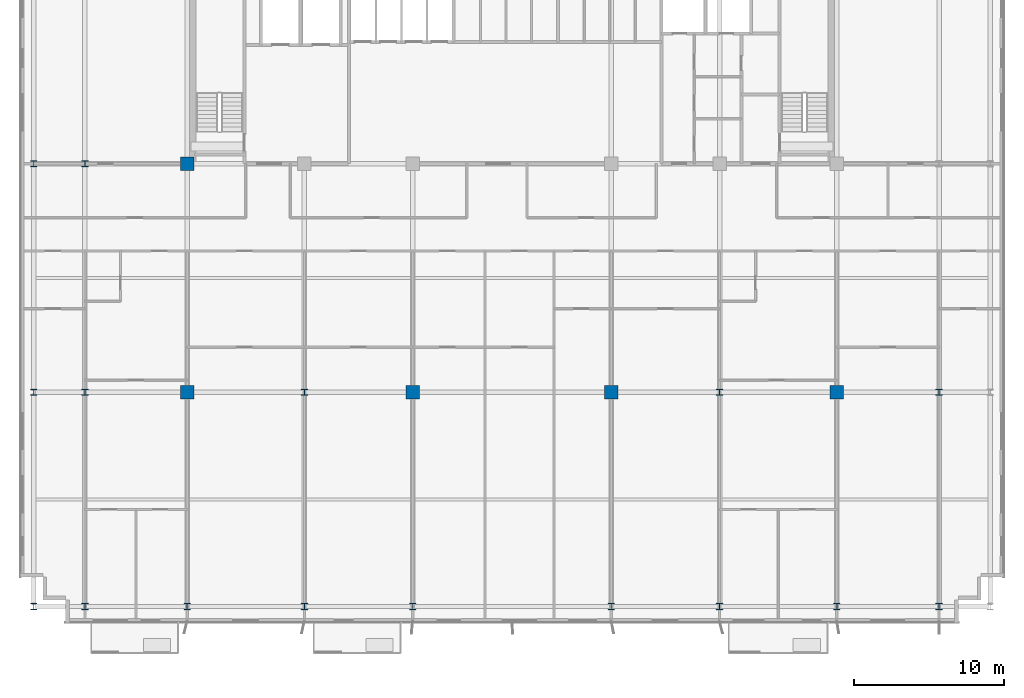
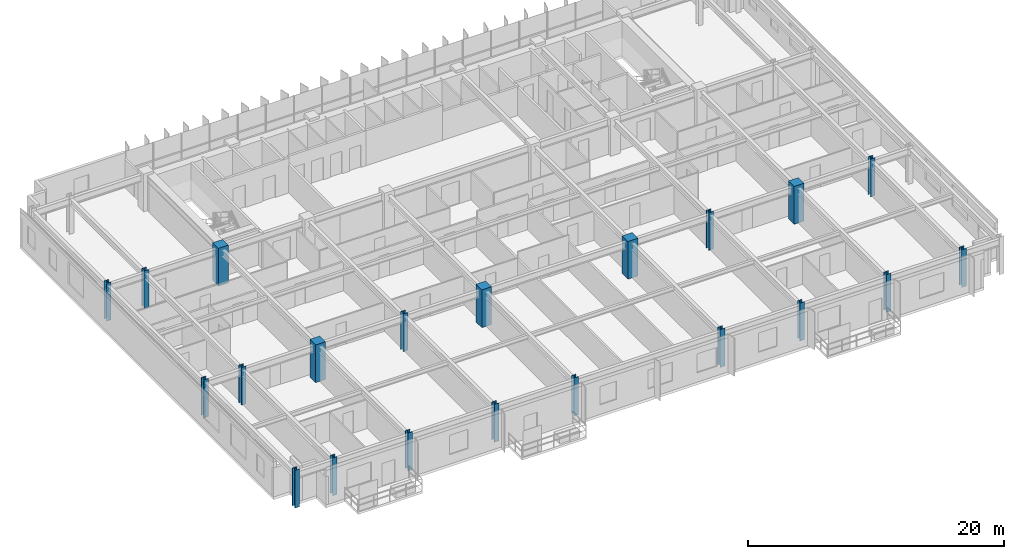
# One storey, part 1 of 22: 21 columns.
"""IFC4 building model written with IfcOpenShell, lengths in metres."""

from ifc_helpers import new_model, si_unit, direction, frame, origin, origin_2d, place, context, subcontext, project, spatial, rectangle, i_section, extrude, source, transform, mapped, material, material_profile, profile_set, type_object, element, save


model = new_model("IFC4")

# Units and contexts
model_context = context("Model", 3, precision=1e-05, world=origin(), true_north=direction((0.0, 1.0)))
body_context = subcontext(model_context, "Body", "Model", "MODEL_VIEW")
ifc_project = project(units=[si_unit("LENGTHUNIT", "METRE"), si_unit("AREAUNIT", "SQUARE_METRE"), si_unit("VOLUMEUNIT", "CUBIC_METRE"), si_unit("PLANEANGLEUNIT", "RADIAN"), si_unit("MASSUNIT", "GRAM", prefix="KILO")], contexts=[model_context])

# Site, building, storey
site_placement = place(None, origin())
site = spatial("IfcSite", under=ifc_project, at=site_placement, CompositionType="ELEMENT")
building_placement = place(site_placement, origin())
building = spatial("IfcBuilding", under=site, at=building_placement, Name="Trelvane Seafront Commons", CompositionType="ELEMENT")
storey_placement = place(building_placement, frame((0.0, 0.0, 59.5)))
storey = spatial("IfcBuildingStorey", under=building, at=storey_placement, Name="L15", CompositionType="ELEMENT", Elevation=59.5)

# Columns
ifc_material_1 = material(Name="Steel SM355 (S355)", Category="steel")
ifc_material_profile_1 = material_profile(ifc_material_1, i_section(OverallWidth=0.419921875, OverallDepth=0.419921875, WebThickness=0.02587890625, FlangeThickness=0.0400390625, at=origin_2d()), Name="HD-420x420x26x40")
ifc_profile_set_1 = profile_set([ifc_material_profile_1], Name="Steel SM355 (S355)")
column_type_1 = type_object("IfcColumnType", Name="STR-COL-HD420", PredefinedType="COLUMN", material=ifc_profile_set_1)
shared_shape_1 = source(origin(), body_context, "Body", "SweptSolid", [
    extrude(i_section(OverallWidth=0.419921875, OverallDepth=0.419921875, WebThickness=0.02587890625, FlangeThickness=0.0400390625, at=origin_2d()), origin(), (0.0, 0.0, 1.0), 3.60009765625),
])
for number, where, z_axis, x_axis, name in (
    (1, (5.39990234375, 3.949951171875, 0.0), (0.0, 0.0, 1.0), (1.0, 0.0, 0.0), "L15 Column TC-S5.4"),
    (2, (5.39990234375, 18.199951171875, 0.0), (0.0, 0.0, 1.0), (1.0, 0.0, 0.0), "L15 Column TC-M5.4"),
    (3, (5.39990234375, 33.39990234375, 0.0), (0.0, 0.0, 1.0), (1.0, 0.0, 0.0), "L15 Column TC-CS5.4"),
    (4, (8.800048828125, 3.949951171875, 0.0), (0.0, 0.0, 1.0), (1.0, 0.0, 0.0), "L15 Column TC-S8.8"),
    (5, (8.800048828125, 18.199951171875, 0.0), (0.0, 0.0, 1.0), (1.0, 0.0, 0.0), "L15 Column TC-M8.8"),
    (6, (8.800048828125, 33.39990234375, 0.0), (0.0, 0.0, 1.0), (1.0, 0.0, 0.0), "L15 Column TC-CS8.8"),
    (7, (15.60009765625, 3.949951171875, 0.0), (0.0, 0.0, 1.0), (1.0, 0.0, 0.0), "L15 Column TC-S15.6"),
    (8, (23.39990234375, 3.949951171875, 0.0), (0.0, 0.0, 1.0), (1.0, 0.0, 0.0), "L15 Column TC-S23.4"),
    (9, (23.39990234375, 18.199951171875, 0.0), (0.0, 0.0, 1.0), (1.0, 0.0, 0.0), "L15 Column TC-M23.4"),
    (10, (30.60009765625, 3.949951171875, 0.0), (0.0, 0.0, 1.0), (1.0, 0.0, 0.0), "L15 Column TC-S30.6"),
    (11, (43.800048828125, 3.949951171875, 0.0), (0.0, 0.0, 1.0), (1.0, 0.0, 0.0), "L15 Column TC-S43.8"),
    (12, (51.0, 3.949951171875, 0.0), (0.0, 0.0, 1.0), (1.0, 0.0, 0.0), "L15 Column TC-S51.0"),
    (13, (51.0, 18.199951171875, 0.0), (0.0, 0.0, 1.0), (1.0, 0.0, 0.0), "L15 Column TC-M51.0"),
    (14, (58.800048828125, 3.949951171875, 0.0), (0.0, 0.0, 1.0), (1.0, 0.0, 0.0), "L15 Column TC-S58.8"),
    (15, (65.60009765625, 3.949951171875, 0.0), (0.0, 0.0, 1.0), (1.0, 0.0, 0.0), "L15 Column TC-S65.6"),
    (16, (65.60009765625, 18.199951171875, 0.0), (0.0, 0.0, 1.0), (1.0, 0.0, 0.0), "L15 Column TC-M65.6"),
):
    element("IfcColumn", number, at=place(storey_placement, frame(where, z_axis=z_axis, x_axis=x_axis)), inside=storey, type_object=column_type_1, Name=name, PredefinedType="COLUMN", context=body_context, shape_type="MappedRepresentation", body=[
        mapped(shared_shape_1, transform((0.0, 0.0, 0.0), x_axis=(1.0, 0.0, 0.0), y_axis=(0.0, 1.0, 0.0), z_axis=(0.0, 0.0, 1.0), scale=1.0)),
    ])
ifc_material_2 = material(Name="Concrete C60/75", Category="concrete")
ifc_material_profile_2 = material_profile(ifc_material_2, rectangle(XDim=0.89990234375, YDim=0.89990234375, at=origin_2d()), Name="RC-900x900")
ifc_profile_set_2 = profile_set([ifc_material_profile_2], Name="Concrete C60/75")
column_type_2 = type_object("IfcColumnType", Name="STR-COL-RC900", PredefinedType="COLUMN", material=ifc_profile_set_2)
shared_shape_2 = source(origin(), body_context, "Body", "SweptSolid", [
    extrude(rectangle(XDim=0.89990234375, YDim=0.89990234375, at=origin_2d()), origin(), (0.0, 0.0, 1.0), 3.60009765625),
])
for number, where, z_axis, x_axis, name in (
    (17, (15.60009765625, 18.199951171875, 0.0), (0.0, 0.0, 1.0), (1.0, 0.0, 0.0), "L15 Column TC-M15.6"),
    (18, (15.60009765625, 33.39990234375, 0.0), (0.0, 0.0, 1.0), (1.0, 0.0, 0.0), "L15 Column TC-CS15.6"),
    (19, (30.60009765625, 18.199951171875, 0.0), (0.0, 0.0, 1.0), (1.0, 0.0, 0.0), "L15 Column TC-M30.6"),
    (20, (43.800048828125, 18.199951171875, 0.0), (0.0, 0.0, 1.0), (1.0, 0.0, 0.0), "L15 Column TC-M43.8"),
    (21, (58.800048828125, 18.199951171875, 0.0), (0.0, 0.0, 1.0), (1.0, 0.0, 0.0), "L15 Column TC-M58.8"),
):
    element("IfcColumn", number, at=place(storey_placement, frame(where, z_axis=z_axis, x_axis=x_axis)), inside=storey, type_object=column_type_2, Name=name, PredefinedType="COLUMN", context=body_context, shape_type="MappedRepresentation", body=[
        mapped(shared_shape_2, transform((0.0, 0.0, 0.0), x_axis=(1.0, 0.0, 0.0), y_axis=(0.0, 1.0, 0.0), z_axis=(0.0, 0.0, 1.0), scale=1.0)),
    ])

save(model, "model.ifc")
